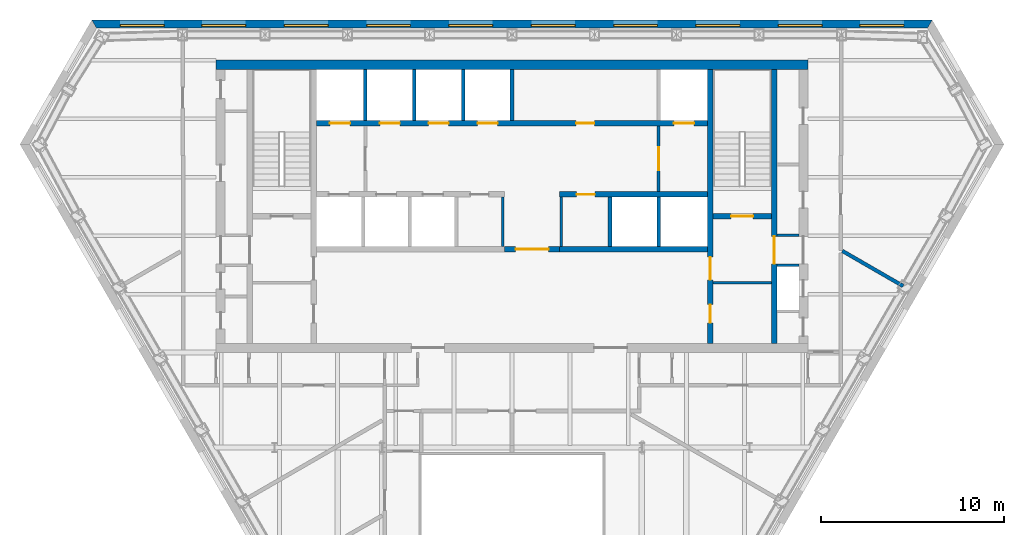
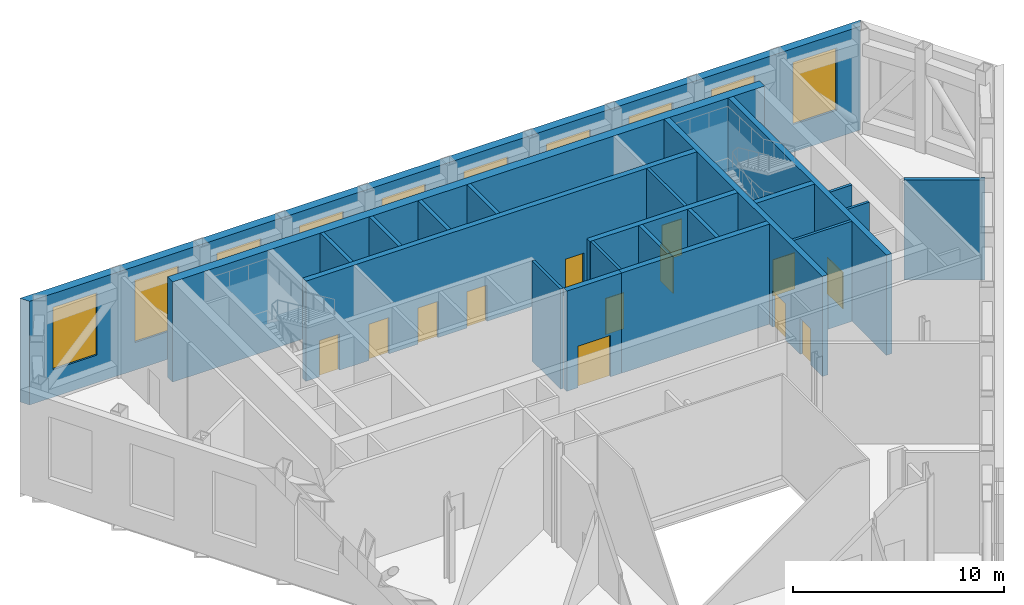
# One storey, part 9 of 13: 22 walls, 13 doors, 10 shading devices, 23 openings.
"""IFC4 building model written with IfcOpenShell, lengths in metres."""

from ifc_helpers import new_model, si_unit, direction, frame, frame_2d, origin, place, context, subcontext, project, spatial, polyline, rectangle, outline, extrude, material, layer, layer_set, type_object, element, fill, save


model = new_model("IFC4")

# Units and contexts
model_context = context("Model", 3, precision=1e-05, world=origin(), true_north=direction((0.0, 1.0)))
body_context = subcontext(model_context, "Body", "Model", "MODEL_VIEW")
ifc_project = project(units=[si_unit("LENGTHUNIT", "METRE"), si_unit("AREAUNIT", "SQUARE_METRE"), si_unit("VOLUMEUNIT", "CUBIC_METRE"), si_unit("PLANEANGLEUNIT", "RADIAN"), si_unit("MASSUNIT", "GRAM", prefix="KILO")], contexts=[model_context])

# Site, building, storey
site_placement = place(None, origin())
site = spatial("IfcSite", under=ifc_project, at=site_placement, CompositionType="ELEMENT")
building_placement = place(site_placement, origin())
building = spatial("IfcBuilding", under=site, at=building_placement, Name="Njiva Tower", CompositionType="ELEMENT")
storey_placement = place(building_placement, frame((0.0, 0.0, 186.6)))
storey = spatial("IfcBuildingStorey", under=building, at=storey_placement, Name="L41", CompositionType="ELEMENT", Elevation=186.6)

# Walls
ifc_material_1 = material(Name="Blockwork", Category="masonry")
ifc_layer_1 = layer(ifc_material_1, 0.15)
ifc_layer_set_1 = layer_set([ifc_layer_1], Name="Blockwork")
wall_type_1 = type_object("IfcWallType", Name="WT1 Compartment partition 150", PredefinedType="PARTITIONING", material=ifc_layer_set_1)
for number, where, z_axis, x_axis, name in (
    (1, (-0.5, 7.8, 0.0), (0.0, 0.0, 1.0), (0.0, 1.0, 0.0), "Partition CS4"),
    (2, (2.7, 7.8, 0.0), (0.0, 0.0, 1.0), (0.0, 1.0, 0.0), "Partition CS5"),
):
    element("IfcWall", number, at=place(storey_placement, frame(where, z_axis=z_axis, x_axis=x_axis)), inside=storey, type_object=wall_type_1, Name=name, PredefinedType="PARTITIONING", context=body_context, shape_type="SweptSolid", body=[
        extrude(rectangle(XDim=2.7, YDim=0.15, at=frame_2d((1.35, 0.0))), origin(), (0.0, 0.0, 1.0), 5.8),
    ])
wall_1_placement = place(storey_placement, frame((11.0, 5.825, 0.0), z_axis=(0.0, 0.0, 1.0), x_axis=(1.0, 0.0, 0.0)))
element("IfcWall", 3, at=wall_1_placement, inside=storey, type_object=wall_type_1, Name="Room wall B", PredefinedType="PARTITIONING", context=body_context, shape_type="SweptSolid", body=[
    extrude(rectangle(XDim=3.2, YDim=0.15, at=frame_2d((1.6, 0.0))), origin(), (0.0, 0.0, 1.0), 5.8),
])

# Wall, openings, doors
ifc_material_2 = material(Name="Concrete C40/50", Category="concrete")
ifc_layer_2 = layer(ifc_material_2, 0.3)
ifc_layer_set_2 = layer_set([ifc_layer_2], Name="Concrete C40/50")
wall_type_2 = type_object("IfcWallType", Name="WT10 Stair enclosure wall 300", PredefinedType="SHEAR", material=ifc_layer_set_2)
wall_2_placement = place(storey_placement, frame((10.85, 2.5, 0.0), z_axis=(0.0, 0.0, 1.0), x_axis=(0.0, 1.0, 0.0)))
wall_2 = element("IfcWall", 4, at=wall_2_placement, inside=storey, type_object=wall_type_2, Name="Stair wall east inner", PredefinedType="SHEAR", context=body_context, shape_type="SweptSolid", body=[
    extrude(rectangle(XDim=15.0, YDim=0.3, at=frame_2d((7.5, 0.0))), origin(), (0.0, 0.0, 1.0), 5.8),
])
opening_1_placement = place(wall_2_placement, frame((3.475, 0.0, 0.0)))
opening_1 = element("IfcOpeningElement", 5, at=opening_1_placement, cuts=wall_2, Name="Opening T3-D918", PredefinedType="OPENING", context=body_context, shape_type="SweptSolid", body=[
    extrude(rectangle(XDim=1.25, YDim=2.1, at=frame_2d((0.625, 1.05))), frame((0.0, 0.16, 0.0), z_axis=(0.0, -1.0, 0.0), x_axis=(1.0, 0.0, 0.0)), (0.0, 0.0, 1.0), 0.32),
])
opening_2_placement = place(wall_2_placement, frame((1.125, 0.0, 0.0)))
opening_2 = element("IfcOpeningElement", 6, at=opening_2_placement, cuts=wall_2, Name="Opening T3-D919", PredefinedType="OPENING", context=body_context, shape_type="SweptSolid", body=[
    extrude(rectangle(XDim=1.0, YDim=2.1, at=frame_2d((0.5, 1.05))), frame((0.0, 0.16, 0.0), z_axis=(0.0, -1.0, 0.0), x_axis=(1.0, 0.0, 0.0)), (0.0, 0.0, 1.0), 0.32),
])
ifc_material_3 = material(Name="Steel door, painted", Category="steel")
door_type_1 = type_object("IfcDoorType", Name="D5 Steel door 1000x2100", OperationType="SINGLE_SWING_LEFT", PredefinedType="DOOR", material=ifc_material_3)
door_1_placement = place(opening_2_placement, origin())
door_1 = element("IfcDoor", 7, at=door_1_placement, inside=storey, type_object=door_type_1, Name="Telecoms plant room door", OperationType="SINGLE_SWING_LEFT", OverallHeight=2.1, OverallWidth=1.0, PredefinedType="DOOR", context=body_context, shape_type="SweptSolid", body=[
    extrude(rectangle(XDim=1.0, YDim=2.1, at=frame_2d((0.5, 1.05))), frame((0.0, 0.025, 0.0), z_axis=(0.0, -1.0, 0.0), x_axis=(1.0, 0.0, 0.0)), (0.0, 0.0, 1.0), 0.05),
])
fill(opening_2, door_1)
ifc_material_4 = material(Name="Glazed steel fire door", Category="steel")
door_type_2 = type_object("IfcDoorType", Name="D8 Vestibule corridor door 1250x2100 glazed", OperationType="SINGLE_SWING_LEFT", PredefinedType="DOOR", material=ifc_material_4)
door_2_placement = place(opening_1_placement, origin())
door_2 = element("IfcDoor", 8, at=door_2_placement, inside=storey, type_object=door_type_2, Name="Stair vestibule corridor door", OperationType="SINGLE_SWING_RIGHT", OverallHeight=2.1, OverallWidth=1.25, PredefinedType="DOOR", context=body_context, shape_type="SweptSolid", body=[
    extrude(rectangle(XDim=1.25, YDim=2.1, at=frame_2d((0.625, 1.05))), frame((0.0, 0.025, 0.0), z_axis=(0.0, -1.0, 0.0), x_axis=(1.0, 0.0, 0.0)), (0.0, 0.0, 1.0), 0.05),
])
fill(opening_1, door_2)

# Wall, opening, door
wall_3_placement = place(storey_placement, frame((14.35, 2.5, 0.0), z_axis=(0.0, 0.0, 1.0), x_axis=(0.0, 1.0, 0.0)))
wall_3 = element("IfcWall", 9, at=wall_3_placement, inside=storey, type_object=wall_type_2, Name="Stair wall east outer", PredefinedType="SHEAR", context=body_context, shape_type="SweptSolid", body=[
    extrude(rectangle(XDim=15.0, YDim=0.3, at=frame_2d((7.5, 0.0))), origin(), (0.0, 0.0, 1.0), 5.8),
])
opening_3_placement = place(wall_3_placement, frame((4.35, 0.0, 0.0)))
opening_3 = element("IfcOpeningElement", 10, at=opening_3_placement, cuts=wall_3, Name="Opening T3-D926", PredefinedType="OPENING", context=body_context, shape_type="SweptSolid", body=[
    extrude(rectangle(XDim=1.5, YDim=2.1, at=frame_2d((0.75, 1.05))), frame((0.0, 0.16, 0.0), z_axis=(0.0, -1.0, 0.0), x_axis=(1.0, 0.0, 0.0)), (0.0, 0.0, 1.0), 0.32),
])
door_type_3 = type_object("IfcDoorType", Name="D10 Exit door double 1500x2100 glazed", OperationType="DOUBLE_DOOR_SINGLE_SWING", PredefinedType="DOOR", material=ifc_material_4)
door_3_placement = place(opening_3_placement, origin())
door_3 = element("IfcDoor", 11, at=door_3_placement, inside=storey, type_object=door_type_3, Name="Stair B passage door", OperationType="DOUBLE_DOOR_SINGLE_SWING", OverallHeight=2.1, OverallWidth=1.5, PredefinedType="DOOR", context=body_context, shape_type="SweptSolid", body=[
    extrude(rectangle(XDim=1.5, YDim=2.1, at=frame_2d((0.75, 1.05))), frame((0.0, 0.025, 0.0), z_axis=(0.0, -1.0, 0.0), x_axis=(1.0, 0.0, 0.0)), (0.0, 0.0, 1.0), 0.05),
])
fill(opening_3, door_3)

wall_4_placement = place(storey_placement, frame((11.0, 9.45, 0.0), z_axis=(0.0, 0.0, 1.0), x_axis=(1.0, 0.0, 0.0)))
wall_4 = element("IfcWall", 12, at=wall_4_placement, inside=storey, type_object=wall_type_2, Name="Stair B south wall", PredefinedType="SHEAR", context=body_context, shape_type="SweptSolid", body=[
    extrude(rectangle(XDim=3.2, YDim=0.3, at=frame_2d((1.6, 0.0))), origin(), (0.0, 0.0, 1.0), 5.8),
])
opening_4_placement = place(wall_4_placement, frame((1.0, 0.0, 0.0)))
opening_4 = element("IfcOpeningElement", 13, at=opening_4_placement, cuts=wall_4, Name="Opening T3-D917", PredefinedType="OPENING", context=body_context, shape_type="SweptSolid", body=[
    extrude(rectangle(XDim=1.2, YDim=2.1, at=frame_2d((0.6, 1.05))), frame((0.0, 0.16, 0.0), z_axis=(0.0, -1.0, 0.0), x_axis=(1.0, 0.0, 0.0)), (0.0, 0.0, 1.0), 0.32),
])
door_type_4 = type_object("IfcDoorType", Name="D7 Stair vestibule door 1200x2100 glazed", OperationType="SINGLE_SWING_LEFT", PredefinedType="DOOR", material=ifc_material_4)
door_4_placement = place(opening_4_placement, origin())
door_4 = element("IfcDoor", 14, at=door_4_placement, inside=storey, type_object=door_type_4, Name="Stair B door", OperationType="SINGLE_SWING_LEFT", OverallHeight=2.1, OverallWidth=1.2, PredefinedType="DOOR", context=body_context, shape_type="SweptSolid", body=[
    extrude(rectangle(XDim=1.2, YDim=2.1, at=frame_2d((0.6, 1.05))), frame((0.0, 0.025, 0.0), z_axis=(0.0, -1.0, 0.0), x_axis=(1.0, 0.0, 0.0)), (0.0, 0.0, 1.0), 0.05),
])
fill(opening_4, door_4)

# Wall
ifc_material_5 = material(Name="Concrete C60/75", Category="concrete")
ifc_layer_3 = layer(ifc_material_5, 0.5)
ifc_layer_set_3 = layer_set([ifc_layer_3], Name="Concrete C60/75")
wall_type_3 = type_object("IfcWallType", Name="WT13 Core wall 500", PredefinedType="SHEAR", material=ifc_layer_set_3)
wall_5_placement = place(storey_placement, frame((-16.2, 17.75, 0.0), z_axis=(0.0, 0.0, 1.0), x_axis=(1.0, 0.0, 0.0)))
element("IfcWall", 15, at=wall_5_placement, inside=storey, type_object=wall_type_3, Name="Core wall north", PredefinedType="SHEAR", context=body_context, shape_type="SweptSolid", body=[
    extrude(rectangle(XDim=32.4, YDim=0.5, at=frame_2d((16.2, 0.0))), origin(), (0.0, 0.0, 1.0), 5.8),
])

# Wall, opening, door
ifc_layer_4 = layer(ifc_material_1, 0.15)
ifc_layer_set_4 = layer_set([ifc_layer_4], Name="Blockwork")
wall_type_4 = type_object("IfcWallType", Name="WT2 Lobby partition 150", PredefinedType="PARTITIONING", material=ifc_layer_set_4)
wall_6_placement = place(storey_placement, frame((8.025, 10.8, 0.0), z_axis=(0.0, 0.0, 1.0), x_axis=(0.0, 1.0, 0.0)))
wall_6 = element("IfcWall", 16, at=wall_6_placement, inside=storey, type_object=wall_type_4, Name="Firefighting lobby wall B", PredefinedType="PARTITIONING", context=body_context, shape_type="SweptSolid", body=[
    extrude(rectangle(XDim=3.6, YDim=0.15, at=frame_2d((1.8, 0.0))), origin(), (0.0, 0.0, 1.0), 5.8),
])
opening_5_placement = place(wall_6_placement, frame((1.175, 0.0, 0.0)))
opening_5 = element("IfcOpeningElement", 17, at=opening_5_placement, cuts=wall_6, Name="Opening T3-D916", PredefinedType="OPENING", context=body_context, shape_type="SweptSolid", body=[
    extrude(rectangle(XDim=1.25, YDim=2.1, at=frame_2d((0.625, 1.05))), frame((0.0, 0.085, 0.0), z_axis=(0.0, -1.0, 0.0), x_axis=(1.0, 0.0, 0.0)), (0.0, 0.0, 1.0), 0.17),
])
door_5_placement = place(opening_5_placement, origin())
door_5 = element("IfcDoor", 18, at=door_5_placement, inside=storey, type_object=door_type_2, Name="Stair vestibule corridor door", OperationType="SINGLE_SWING_LEFT", OverallHeight=2.1, OverallWidth=1.25, PredefinedType="DOOR", context=body_context, shape_type="SweptSolid", body=[
    extrude(rectangle(XDim=1.25, YDim=2.1, at=frame_2d((0.625, 1.05))), frame((0.0, 0.025, 0.0), z_axis=(0.0, -1.0, 0.0), x_axis=(1.0, 0.0, 0.0)), (0.0, 0.0, 1.0), 0.05),
])
fill(opening_5, door_5)

# Walls
ifc_layer_5 = layer(ifc_material_1, 0.2)
ifc_layer_set_5 = layer_set([ifc_layer_5], Name="Blockwork")
wall_type_5 = type_object("IfcWallType", Name="WT23 Refuge wall 200", PredefinedType="PARTITIONING", material=ifc_layer_set_5)
wall_7_placement = place(storey_placement, frame((18.081, 7.56, 0.0), z_axis=(0.0, 0.0, 1.0), x_axis=(0.86593012836, -0.500164985579, 0.0)))
element("IfcWall", 19, at=wall_7_placement, inside=storey, type_object=wall_type_5, Name="Partition T3-P036", PredefinedType="PARTITIONING", context=body_context, shape_type="SweptSolid", body=[
    extrude(rectangle(XDim=3.8467, YDim=0.2, at=frame_2d((1.9234, 0.0))), origin(), (0.0, 0.0, 1.0), 5.8),
])
ifc_layer_6 = layer(ifc_material_1, 0.15)
ifc_layer_set_6 = layer_set([ifc_layer_6], Name="Blockwork")
wall_type_6 = type_object("IfcWallType", Name="WT4 Stair partition 150", PredefinedType="PARTITIONING", material=ifc_layer_set_6)
for number, where, z_axis, x_axis, name in (
    (20, (14.5, 6.775, 0.0), (0.0, 0.0, 1.0), (1.0, 0.0, 0.0), "Stair B exit passage wall south"),
    (21, (14.5, 8.425, 0.0), (0.0, 0.0, 1.0), (1.0, 0.0, 0.0), "Stair B exit passage wall north"),
):
    element("IfcWall", number, at=place(storey_placement, frame(where, z_axis=z_axis, x_axis=x_axis)), inside=storey, type_object=wall_type_6, Name=name, PredefinedType="PARTITIONING", context=body_context, shape_type="SweptSolid", body=[
        extrude(rectangle(XDim=1.2, YDim=0.15, at=frame_2d((0.6, 0.0))), origin(), (0.0, 0.0, 1.0), 5.8),
    ])

# Wall, opening, door
ifc_layer_7 = layer(ifc_material_1, 0.3)
ifc_layer_set_7 = layer_set([ifc_layer_7], Name="Blockwork")
wall_type_7 = type_object("IfcWallType", Name="WT5 Lobby partition 300", PredefinedType="PARTITIONING", material=ifc_layer_set_7)
wall_8_placement = place(storey_placement, frame((-0.4, 7.65, 0.0), z_axis=(0.0, 0.0, 1.0), x_axis=(1.0, 0.0, 0.0)))
wall_8 = element("IfcWall", 22, at=wall_8_placement, inside=storey, type_object=wall_type_7, Name="Lift lobby screen wall", PredefinedType="PARTITIONING", context=body_context, shape_type="SweptSolid", body=[
    extrude(rectangle(XDim=3.0, YDim=0.3, at=frame_2d((1.5, 0.0))), origin(), (0.0, 0.0, 1.0), 5.8),
])
opening_6_placement = place(wall_8_placement, frame((0.6, 0.0, 0.0)))
opening_6 = element("IfcOpeningElement", 23, at=opening_6_placement, cuts=wall_8, Name="Opening T3-D932", PredefinedType="OPENING", context=body_context, shape_type="SweptSolid", body=[
    extrude(rectangle(XDim=1.8, YDim=2.4, at=frame_2d((0.9, 1.2))), frame((0.0, 0.16, 0.0), z_axis=(0.0, -1.0, 0.0), x_axis=(1.0, 0.0, 0.0)), (0.0, 0.0, 1.0), 0.32),
])
ifc_material_6 = material(Name="Steel and glass door", Category="steel")
door_type_5 = type_object("IfcDoorType", Name="D3 Core entrance door 1800x2400", OperationType="DOUBLE_DOOR_SINGLE_SWING", PredefinedType="DOOR", material=ifc_material_6)
door_6_placement = place(opening_6_placement, origin())
door_6 = element("IfcDoor", 24, at=door_6_placement, inside=storey, type_object=door_type_5, Name="Core entrance door", OperationType="DOUBLE_DOOR_SINGLE_SWING", OverallHeight=2.4, OverallWidth=1.8, PredefinedType="DOOR", context=body_context, shape_type="SweptSolid", body=[
    extrude(rectangle(XDim=1.8, YDim=2.4, at=frame_2d((0.9, 1.2))), frame((0.0, 0.025, 0.0), z_axis=(0.0, -1.0, 0.0), x_axis=(1.0, 0.0, 0.0)), (0.0, 0.0, 1.0), 0.05),
])
fill(opening_6, door_6)

# Walls
ifc_layer_8 = layer(ifc_material_2, 0.2)
ifc_layer_set_8 = layer_set([ifc_layer_8], Name="Concrete C40/50")
wall_type_8 = type_object("IfcWallType", Name="WT6 Lift shaft wall 200", PredefinedType="SHEAR", material=ifc_layer_set_8)
for number, where, z_axis, x_axis, name in (
    (25, (-8.025, 14.7, 0.0), (0.0, 0.0, 1.0), (0.0, 1.0, 0.0), "Shaft wall CN1"),
    (26, (-5.35, 14.7, 0.0), (0.0, 0.0, 1.0), (0.0, 1.0, 0.0), "Shaft wall CN2"),
    (27, (-2.675, 14.7, 0.0), (0.0, 0.0, 1.0), (0.0, 1.0, 0.0), "Shaft wall CN3"),
    (28, (0.0, 14.7, 0.0), (0.0, 0.0, 1.0), (0.0, 1.0, 0.0), "Shaft wall CN4"),
):
    element("IfcWall", number, at=place(storey_placement, frame(where, z_axis=z_axis, x_axis=x_axis)), inside=storey, type_object=wall_type_8, Name=name, PredefinedType="SHEAR", context=body_context, shape_type="SweptSolid", body=[
        extrude(rectangle(XDim=2.8, YDim=0.2, at=frame_2d((1.4, 0.0))), origin(), (0.0, 0.0, 1.0), 5.8),
    ])
for number, where, z_axis, x_axis, name in (
    (29, (5.3667, 7.8, 0.0), (0.0, 0.0, 1.0), (0.0, 1.0, 0.0), "Shaft wall CS6"),
    (30, (8.0333, 7.8, 0.0), (0.0, 0.0, 1.0), (0.0, 1.0, 0.0), "Shaft wall CS7"),
):
    element("IfcWall", number, at=place(storey_placement, frame(where, z_axis=z_axis, x_axis=x_axis)), inside=storey, type_object=wall_type_8, Name=name, PredefinedType="SHEAR", context=body_context, shape_type="SweptSolid", body=[
        extrude(rectangle(XDim=2.7, YDim=0.2, at=frame_2d((1.35, 0.0))), origin(), (0.0, 0.0, 1.0), 5.8),
    ])

# Wall, openings, doors
ifc_layer_9 = layer(ifc_material_2, 0.3)
ifc_layer_set_9 = layer_set([ifc_layer_9], Name="Concrete C40/50")
wall_type_9 = type_object("IfcWallType", Name="WT7 Lift shaft wall 300", PredefinedType="SHEAR", material=ifc_layer_set_9)
wall_9_placement = place(storey_placement, frame((-10.7, 14.55, 0.0), z_axis=(0.0, 0.0, 1.0), x_axis=(1.0, 0.0, 0.0)))
wall_9 = element("IfcWall", 31, at=wall_9_placement, inside=storey, type_object=wall_type_9, Name="Shaft wall north row lobby side", PredefinedType="SHEAR", context=body_context, shape_type="SweptSolid", body=[
    extrude(rectangle(XDim=21.4, YDim=0.3, at=frame_2d((10.7, 0.0))), origin(), (0.0, 0.0, 1.0), 5.8),
])
opening_7_placement = place(wall_9_placement, frame((0.7375, 0.0, 0.0)))
opening_7 = element("IfcOpeningElement", 32, at=opening_7_placement, cuts=wall_9, Name="Opening T3-D901", PredefinedType="OPENING", context=body_context, shape_type="SweptSolid", body=[
    extrude(rectangle(XDim=1.1, YDim=2.1, at=frame_2d((0.55, 1.05))), frame((0.0, 0.16, 0.0), z_axis=(0.0, -1.0, 0.0), x_axis=(1.0, 0.0, 0.0)), (0.0, 0.0, 1.0), 0.32),
])
opening_8_placement = place(wall_9_placement, frame((3.4625, 0.0, 0.0)))
opening_8 = element("IfcOpeningElement", 33, at=opening_8_placement, cuts=wall_9, Name="Opening T3-D902", PredefinedType="OPENING", context=body_context, shape_type="SweptSolid", body=[
    extrude(rectangle(XDim=1.1, YDim=2.1, at=frame_2d((0.55, 1.05))), frame((0.0, 0.16, 0.0), z_axis=(0.0, -1.0, 0.0), x_axis=(1.0, 0.0, 0.0)), (0.0, 0.0, 1.0), 0.32),
])
opening_9_placement = place(wall_9_placement, frame((6.1375, 0.0, 0.0)))
opening_9 = element("IfcOpeningElement", 34, at=opening_9_placement, cuts=wall_9, Name="Opening T3-D903", PredefinedType="OPENING", context=body_context, shape_type="SweptSolid", body=[
    extrude(rectangle(XDim=1.1, YDim=2.1, at=frame_2d((0.55, 1.05))), frame((0.0, 0.16, 0.0), z_axis=(0.0, -1.0, 0.0), x_axis=(1.0, 0.0, 0.0)), (0.0, 0.0, 1.0), 0.32),
])
opening_10_placement = place(wall_9_placement, frame((8.8125, 0.0, 0.0)))
opening_10 = element("IfcOpeningElement", 35, at=opening_10_placement, cuts=wall_9, Name="Opening T3-D904", PredefinedType="OPENING", context=body_context, shape_type="SweptSolid", body=[
    extrude(rectangle(XDim=1.1, YDim=2.1, at=frame_2d((0.55, 1.05))), frame((0.0, 0.16, 0.0), z_axis=(0.0, -1.0, 0.0), x_axis=(1.0, 0.0, 0.0)), (0.0, 0.0, 1.0), 0.32),
])
opening_11_placement = place(wall_9_placement, frame((19.5625, 0.0, 0.0)))
opening_11 = element("IfcOpeningElement", 36, at=opening_11_placement, cuts=wall_9, Name="Opening T3-D905", PredefinedType="OPENING", context=body_context, shape_type="SweptSolid", body=[
    extrude(rectangle(XDim=1.1, YDim=2.1, at=frame_2d((0.55, 1.05))), frame((0.0, 0.16, 0.0), z_axis=(0.0, -1.0, 0.0), x_axis=(1.0, 0.0, 0.0)), (0.0, 0.0, 1.0), 0.32),
])
opening_12_placement = place(wall_9_placement, frame((14.2125, 0.0, 0.0)))
opening_12 = element("IfcOpeningElement", 37, at=opening_12_placement, cuts=wall_9, Name="Opening T3-D909", PredefinedType="OPENING", context=body_context, shape_type="SweptSolid", body=[
    extrude(rectangle(XDim=1.0, YDim=2.1, at=frame_2d((0.5, 1.05))), frame((0.0, 0.16, 0.0), z_axis=(0.0, -1.0, 0.0), x_axis=(1.0, 0.0, 0.0)), (0.0, 0.0, 1.0), 0.32),
])
door_7_placement = place(opening_12_placement, origin())
door_7 = element("IfcDoor", 38, at=door_7_placement, inside=storey, type_object=door_type_1, Name="Plant store room door", OperationType="SINGLE_SWING_LEFT", OverallHeight=2.1, OverallWidth=1.0, PredefinedType="DOOR", context=body_context, shape_type="SweptSolid", body=[
    extrude(rectangle(XDim=1.0, YDim=2.1, at=frame_2d((0.5, 1.05))), frame((0.0, 0.025, 0.0), z_axis=(0.0, -1.0, 0.0), x_axis=(1.0, 0.0, 0.0)), (0.0, 0.0, 1.0), 0.05),
])
fill(opening_12, door_7)
ifc_material_7 = material(Name="Stainless steel sliding door", Category="steel")
door_type_6 = type_object("IfcDoorType", Name="LD Lift landing door 1100x2100", OperationType="SLIDING_TO_LEFT", PredefinedType="DOOR", material=ifc_material_7)
door_8_placement = place(opening_7_placement, origin())
door_8 = element("IfcDoor", 39, at=door_8_placement, inside=storey, type_object=door_type_6, Name="Lift landing door FF1", OperationType="SLIDING_TO_LEFT", OverallHeight=2.1, OverallWidth=1.1, PredefinedType="DOOR", context=body_context, shape_type="SweptSolid", body=[
    extrude(rectangle(XDim=1.1, YDim=2.1, at=frame_2d((0.55, 1.05))), frame((0.0, 0.025, 0.0), z_axis=(0.0, -1.0, 0.0), x_axis=(1.0, 0.0, 0.0)), (0.0, 0.0, 1.0), 0.05),
])
fill(opening_7, door_8)
door_9_placement = place(opening_8_placement, origin())
door_9 = element("IfcDoor", 40, at=door_9_placement, inside=storey, type_object=door_type_6, Name="Lift landing door MB4", OperationType="SLIDING_TO_LEFT", OverallHeight=2.1, OverallWidth=1.1, PredefinedType="DOOR", context=body_context, shape_type="SweptSolid", body=[
    extrude(rectangle(XDim=1.1, YDim=2.1, at=frame_2d((0.55, 1.05))), frame((0.0, 0.025, 0.0), z_axis=(0.0, -1.0, 0.0), x_axis=(1.0, 0.0, 0.0)), (0.0, 0.0, 1.0), 0.05),
])
fill(opening_8, door_9)
door_10_placement = place(opening_9_placement, origin())
door_10 = element("IfcDoor", 41, at=door_10_placement, inside=storey, type_object=door_type_6, Name="Lift landing door MB5", OperationType="SLIDING_TO_LEFT", OverallHeight=2.1, OverallWidth=1.1, PredefinedType="DOOR", context=body_context, shape_type="SweptSolid", body=[
    extrude(rectangle(XDim=1.1, YDim=2.1, at=frame_2d((0.55, 1.05))), frame((0.0, 0.025, 0.0), z_axis=(0.0, -1.0, 0.0), x_axis=(1.0, 0.0, 0.0)), (0.0, 0.0, 1.0), 0.05),
])
fill(opening_9, door_10)
door_11_placement = place(opening_10_placement, origin())
door_11 = element("IfcDoor", 42, at=door_11_placement, inside=storey, type_object=door_type_6, Name="Lift landing door MB6", OperationType="SLIDING_TO_LEFT", OverallHeight=2.1, OverallWidth=1.1, PredefinedType="DOOR", context=body_context, shape_type="SweptSolid", body=[
    extrude(rectangle(XDim=1.1, YDim=2.1, at=frame_2d((0.55, 1.05))), frame((0.0, 0.025, 0.0), z_axis=(0.0, -1.0, 0.0), x_axis=(1.0, 0.0, 0.0)), (0.0, 0.0, 1.0), 0.05),
])
fill(opening_10, door_11)
door_12_placement = place(opening_11_placement, origin())
door_12 = element("IfcDoor", 43, at=door_12_placement, inside=storey, type_object=door_type_6, Name="Lift landing door FF2", OperationType="SLIDING_TO_LEFT", OverallHeight=2.1, OverallWidth=1.1, PredefinedType="DOOR", context=body_context, shape_type="SweptSolid", body=[
    extrude(rectangle(XDim=1.1, YDim=2.1, at=frame_2d((0.55, 1.05))), frame((0.0, 0.025, 0.0), z_axis=(0.0, -1.0, 0.0), x_axis=(1.0, 0.0, 0.0)), (0.0, 0.0, 1.0), 0.05),
])
fill(opening_11, door_12)

# Wall, opening, door
wall_10_placement = place(storey_placement, frame((2.6, 10.65, 0.0), z_axis=(0.0, 0.0, 1.0), x_axis=(1.0, 0.0, 0.0)))
wall_10 = element("IfcWall", 44, at=wall_10_placement, inside=storey, type_object=wall_type_9, Name="Shaft wall south row lobby side E", PredefinedType="SHEAR", context=body_context, shape_type="SweptSolid", body=[
    extrude(rectangle(XDim=8.1, YDim=0.3, at=frame_2d((4.05, 0.0))), origin(), (0.0, 0.0, 1.0), 5.8),
])
opening_13_placement = place(wall_10_placement, frame((0.9334, 0.0, 0.0)))
opening_13 = element("IfcOpeningElement", 45, at=opening_13_placement, cuts=wall_10, Name="Opening T3-D911", PredefinedType="OPENING", context=body_context, shape_type="SweptSolid", body=[
    extrude(rectangle(XDim=1.0, YDim=2.1, at=frame_2d((0.5, 1.05))), frame((0.0, 0.16, 0.0), z_axis=(0.0, -1.0, 0.0), x_axis=(1.0, 0.0, 0.0)), (0.0, 0.0, 1.0), 0.32),
])
door_13_placement = place(opening_13_placement, origin())
door_13 = element("IfcDoor", 46, at=door_13_placement, inside=storey, type_object=door_type_1, Name="Telecoms plant room door", OperationType="SINGLE_SWING_LEFT", OverallHeight=2.1, OverallWidth=1.0, PredefinedType="DOOR", context=body_context, shape_type="SweptSolid", body=[
    extrude(rectangle(XDim=1.0, YDim=2.1, at=frame_2d((0.5, 1.05))), frame((0.0, 0.025, 0.0), z_axis=(0.0, -1.0, 0.0), x_axis=(1.0, 0.0, 0.0)), (0.0, 0.0, 1.0), 0.05),
])
fill(opening_13, door_13)

# Wall
wall_11_placement = place(storey_placement, frame((2.6, 7.65, 0.0), z_axis=(0.0, 0.0, 1.0), x_axis=(1.0, 0.0, 0.0)))
element("IfcWall", 47, at=wall_11_placement, inside=storey, type_object=wall_type_9, Name="Shaft wall south row back E", PredefinedType="SHEAR", context=body_context, shape_type="SweptSolid", body=[
    extrude(rectangle(XDim=8.1, YDim=0.3, at=frame_2d((4.05, 0.0))), origin(), (0.0, 0.0, 1.0), 5.8),
])

# Wall, openings, shading devices
ifc_material_8 = material(Name="Brick masonry, buff", Category="masonry")
ifc_layer_10 = layer(ifc_material_8, 0.45)
ifc_layer_set_10 = layer_set([ifc_layer_10], Name="Brick masonry, buff")
wall_type_10 = type_object("IfcWallType", Name="WT94 Brick pier and spandrel wall 450, buff", PredefinedType="SOLIDWALL", material=ifc_layer_set_10)
wall_12_placement = place(storey_placement, frame((22.8701, 19.975, -0.4), z_axis=(0.0, 0.0, 1.0), x_axis=(-1.0, 0.0, 0.0)))
wall_12 = element("IfcWall", 48, at=wall_12_placement, inside=storey, type_object=wall_type_10, Name="Facade wall N", PredefinedType="SOLIDWALL", context=body_context, shape_type="SweptSolid", body=[
    extrude(outline(polyline([(-0.1299, -0.225), (45.8701, -0.225), (45.6103, 0.225), (0.1299, 0.225), (-0.1299, -0.225)])), origin(), (0.0, 0.0, 1.0), 6.0),
])
opening_14_placement = place(wall_12_placement, frame((1.4242, 0.0, 1.6)))
opening_14 = element("IfcOpeningElement", 49, at=opening_14_placement, cuts=wall_12, Name="Opening T3-LV01", PredefinedType="OPENING", context=body_context, shape_type="SweptSolid", body=[
    extrude(rectangle(XDim=2.4, YDim=3.6, at=frame_2d((1.2, 1.8))), frame((0.0, 0.235, 0.0), z_axis=(0.0, -1.0, 0.0), x_axis=(1.0, 0.0, 0.0)), (0.0, 0.0, 1.0), 0.47),
])
opening_15_placement = place(wall_12_placement, frame((5.8934, 0.0, 1.6)))
opening_15 = element("IfcOpeningElement", 50, at=opening_15_placement, cuts=wall_12, Name="Opening T3-LV02", PredefinedType="OPENING", context=body_context, shape_type="SweptSolid", body=[
    extrude(rectangle(XDim=2.4, YDim=3.6, at=frame_2d((1.2, 1.8))), frame((0.0, 0.235, 0.0), z_axis=(0.0, -1.0, 0.0), x_axis=(1.0, 0.0, 0.0)), (0.0, 0.0, 1.0), 0.47),
])
opening_16_placement = place(wall_12_placement, frame((10.401, 0.0, 1.6)))
opening_16 = element("IfcOpeningElement", 51, at=opening_16_placement, cuts=wall_12, Name="Opening T3-LV03", PredefinedType="OPENING", context=body_context, shape_type="SweptSolid", body=[
    extrude(rectangle(XDim=2.4, YDim=3.6, at=frame_2d((1.2, 1.8))), frame((0.0, 0.235, 0.0), z_axis=(0.0, -1.0, 0.0), x_axis=(1.0, 0.0, 0.0)), (0.0, 0.0, 1.0), 0.47),
])
opening_17_placement = place(wall_12_placement, frame((14.9087, 0.0, 1.6)))
opening_17 = element("IfcOpeningElement", 52, at=opening_17_placement, cuts=wall_12, Name="Opening T3-LV04", PredefinedType="OPENING", context=body_context, shape_type="SweptSolid", body=[
    extrude(rectangle(XDim=2.4, YDim=3.6, at=frame_2d((1.2, 1.8))), frame((0.0, 0.235, 0.0), z_axis=(0.0, -1.0, 0.0), x_axis=(1.0, 0.0, 0.0)), (0.0, 0.0, 1.0), 0.47),
])
opening_18_placement = place(wall_12_placement, frame((19.4163, 0.0, 1.6)))
opening_18 = element("IfcOpeningElement", 53, at=opening_18_placement, cuts=wall_12, Name="Opening T3-LV05", PredefinedType="OPENING", context=body_context, shape_type="SweptSolid", body=[
    extrude(rectangle(XDim=2.4, YDim=3.6, at=frame_2d((1.2, 1.8))), frame((0.0, 0.235, 0.0), z_axis=(0.0, -1.0, 0.0), x_axis=(1.0, 0.0, 0.0)), (0.0, 0.0, 1.0), 0.47),
])
opening_19_placement = place(wall_12_placement, frame((23.9239, 0.0, 1.6)))
opening_19 = element("IfcOpeningElement", 54, at=opening_19_placement, cuts=wall_12, Name="Opening T3-LV06", PredefinedType="OPENING", context=body_context, shape_type="SweptSolid", body=[
    extrude(rectangle(XDim=2.4, YDim=3.6, at=frame_2d((1.2, 1.8))), frame((0.0, 0.235, 0.0), z_axis=(0.0, -1.0, 0.0), x_axis=(1.0, 0.0, 0.0)), (0.0, 0.0, 1.0), 0.47),
])
opening_20_placement = place(wall_12_placement, frame((28.4315, 0.0, 1.6)))
opening_20 = element("IfcOpeningElement", 55, at=opening_20_placement, cuts=wall_12, Name="Opening T3-LV07", PredefinedType="OPENING", context=body_context, shape_type="SweptSolid", body=[
    extrude(rectangle(XDim=2.4, YDim=3.6, at=frame_2d((1.2, 1.8))), frame((0.0, 0.235, 0.0), z_axis=(0.0, -1.0, 0.0), x_axis=(1.0, 0.0, 0.0)), (0.0, 0.0, 1.0), 0.47),
])
opening_21_placement = place(wall_12_placement, frame((32.9391, 0.0, 1.6)))
opening_21 = element("IfcOpeningElement", 56, at=opening_21_placement, cuts=wall_12, Name="Opening T3-LV08", PredefinedType="OPENING", context=body_context, shape_type="SweptSolid", body=[
    extrude(rectangle(XDim=2.4, YDim=3.6, at=frame_2d((1.2, 1.8))), frame((0.0, 0.235, 0.0), z_axis=(0.0, -1.0, 0.0), x_axis=(1.0, 0.0, 0.0)), (0.0, 0.0, 1.0), 0.47),
])
opening_22_placement = place(wall_12_placement, frame((37.4468, 0.0, 1.6)))
opening_22 = element("IfcOpeningElement", 57, at=opening_22_placement, cuts=wall_12, Name="Opening T3-LV09", PredefinedType="OPENING", context=body_context, shape_type="SweptSolid", body=[
    extrude(rectangle(XDim=2.4, YDim=3.6, at=frame_2d((1.2, 1.8))), frame((0.0, 0.235, 0.0), z_axis=(0.0, -1.0, 0.0), x_axis=(1.0, 0.0, 0.0)), (0.0, 0.0, 1.0), 0.47),
])
opening_23_placement = place(wall_12_placement, frame((41.916, 0.0, 1.6)))
opening_23 = element("IfcOpeningElement", 58, at=opening_23_placement, cuts=wall_12, Name="Opening T3-LV10", PredefinedType="OPENING", context=body_context, shape_type="SweptSolid", body=[
    extrude(rectangle(XDim=2.4, YDim=3.6, at=frame_2d((1.2, 1.8))), frame((0.0, 0.235, 0.0), z_axis=(0.0, -1.0, 0.0), x_axis=(1.0, 0.0, 0.0)), (0.0, 0.0, 1.0), 0.47),
])
ifc_material_9 = material(Name="Aluminium louvre blades", Category="aluminium")
shading_device_type = type_object("IfcShadingDeviceType", Name="LV1 Plant louvre 2400x3600", PredefinedType="JALOUSIE", material=ifc_material_9)
shading_device_1_placement = place(opening_14_placement, origin())
shading_device_1 = element("IfcShadingDevice", 59, at=shading_device_1_placement, inside=storey, type_object=shading_device_type, Name="Plant louvre", PredefinedType="JALOUSIE", context=body_context, shape_type="SweptSolid", body=[
    extrude(rectangle(XDim=2.4, YDim=3.6, at=frame_2d((1.2, 1.8))), frame((0.0, 0.125, 0.0), z_axis=(0.0, -1.0, 0.0), x_axis=(1.0, 0.0, 0.0)), (0.0, 0.0, 1.0), 0.1),
])
fill(opening_14, shading_device_1)
shading_device_2_placement = place(opening_15_placement, origin())
shading_device_2 = element("IfcShadingDevice", 60, at=shading_device_2_placement, inside=storey, type_object=shading_device_type, Name="Plant louvre", PredefinedType="JALOUSIE", context=body_context, shape_type="SweptSolid", body=[
    extrude(rectangle(XDim=2.4, YDim=3.6, at=frame_2d((1.2, 1.8))), frame((0.0, 0.125, 0.0), z_axis=(0.0, -1.0, 0.0), x_axis=(1.0, 0.0, 0.0)), (0.0, 0.0, 1.0), 0.1),
])
fill(opening_15, shading_device_2)
shading_device_3_placement = place(opening_16_placement, origin())
shading_device_3 = element("IfcShadingDevice", 61, at=shading_device_3_placement, inside=storey, type_object=shading_device_type, Name="Plant louvre", PredefinedType="JALOUSIE", context=body_context, shape_type="SweptSolid", body=[
    extrude(rectangle(XDim=2.4, YDim=3.6, at=frame_2d((1.2, 1.8))), frame((0.0, 0.125, 0.0), z_axis=(0.0, -1.0, 0.0), x_axis=(1.0, 0.0, 0.0)), (0.0, 0.0, 1.0), 0.1),
])
fill(opening_16, shading_device_3)
shading_device_4_placement = place(opening_17_placement, origin())
shading_device_4 = element("IfcShadingDevice", 62, at=shading_device_4_placement, inside=storey, type_object=shading_device_type, Name="Plant louvre", PredefinedType="JALOUSIE", context=body_context, shape_type="SweptSolid", body=[
    extrude(rectangle(XDim=2.4, YDim=3.6, at=frame_2d((1.2, 1.8))), frame((0.0, 0.125, 0.0), z_axis=(0.0, -1.0, 0.0), x_axis=(1.0, 0.0, 0.0)), (0.0, 0.0, 1.0), 0.1),
])
fill(opening_17, shading_device_4)
shading_device_5_placement = place(opening_18_placement, origin())
shading_device_5 = element("IfcShadingDevice", 63, at=shading_device_5_placement, inside=storey, type_object=shading_device_type, Name="Plant louvre", PredefinedType="JALOUSIE", context=body_context, shape_type="SweptSolid", body=[
    extrude(rectangle(XDim=2.4, YDim=3.6, at=frame_2d((1.2, 1.8))), frame((0.0, 0.125, 0.0), z_axis=(0.0, -1.0, 0.0), x_axis=(1.0, 0.0, 0.0)), (0.0, 0.0, 1.0), 0.1),
])
fill(opening_18, shading_device_5)
shading_device_6_placement = place(opening_19_placement, origin())
shading_device_6 = element("IfcShadingDevice", 64, at=shading_device_6_placement, inside=storey, type_object=shading_device_type, Name="Plant louvre", PredefinedType="JALOUSIE", context=body_context, shape_type="SweptSolid", body=[
    extrude(rectangle(XDim=2.4, YDim=3.6, at=frame_2d((1.2, 1.8))), frame((0.0, 0.125, 0.0), z_axis=(0.0, -1.0, 0.0), x_axis=(1.0, 0.0, 0.0)), (0.0, 0.0, 1.0), 0.1),
])
fill(opening_19, shading_device_6)
shading_device_7_placement = place(opening_20_placement, origin())
shading_device_7 = element("IfcShadingDevice", 65, at=shading_device_7_placement, inside=storey, type_object=shading_device_type, Name="Plant louvre", PredefinedType="JALOUSIE", context=body_context, shape_type="SweptSolid", body=[
    extrude(rectangle(XDim=2.4, YDim=3.6, at=frame_2d((1.2, 1.8))), frame((0.0, 0.125, 0.0), z_axis=(0.0, -1.0, 0.0), x_axis=(1.0, 0.0, 0.0)), (0.0, 0.0, 1.0), 0.1),
])
fill(opening_20, shading_device_7)
shading_device_8_placement = place(opening_21_placement, origin())
shading_device_8 = element("IfcShadingDevice", 66, at=shading_device_8_placement, inside=storey, type_object=shading_device_type, Name="Plant louvre", PredefinedType="JALOUSIE", context=body_context, shape_type="SweptSolid", body=[
    extrude(rectangle(XDim=2.4, YDim=3.6, at=frame_2d((1.2, 1.8))), frame((0.0, 0.125, 0.0), z_axis=(0.0, -1.0, 0.0), x_axis=(1.0, 0.0, 0.0)), (0.0, 0.0, 1.0), 0.1),
])
fill(opening_21, shading_device_8)
shading_device_9_placement = place(opening_22_placement, origin())
shading_device_9 = element("IfcShadingDevice", 67, at=shading_device_9_placement, inside=storey, type_object=shading_device_type, Name="Plant louvre", PredefinedType="JALOUSIE", context=body_context, shape_type="SweptSolid", body=[
    extrude(rectangle(XDim=2.4, YDim=3.6, at=frame_2d((1.2, 1.8))), frame((0.0, 0.125, 0.0), z_axis=(0.0, -1.0, 0.0), x_axis=(1.0, 0.0, 0.0)), (0.0, 0.0, 1.0), 0.1),
])
fill(opening_22, shading_device_9)
shading_device_10_placement = place(opening_23_placement, origin())
shading_device_10 = element("IfcShadingDevice", 68, at=shading_device_10_placement, inside=storey, type_object=shading_device_type, Name="Plant louvre", PredefinedType="JALOUSIE", context=body_context, shape_type="SweptSolid", body=[
    extrude(rectangle(XDim=2.4, YDim=3.6, at=frame_2d((1.2, 1.8))), frame((0.0, 0.125, 0.0), z_axis=(0.0, -1.0, 0.0), x_axis=(1.0, 0.0, 0.0)), (0.0, 0.0, 1.0), 0.1),
])
fill(opening_23, shading_device_10)

save(model, "model.ifc")
